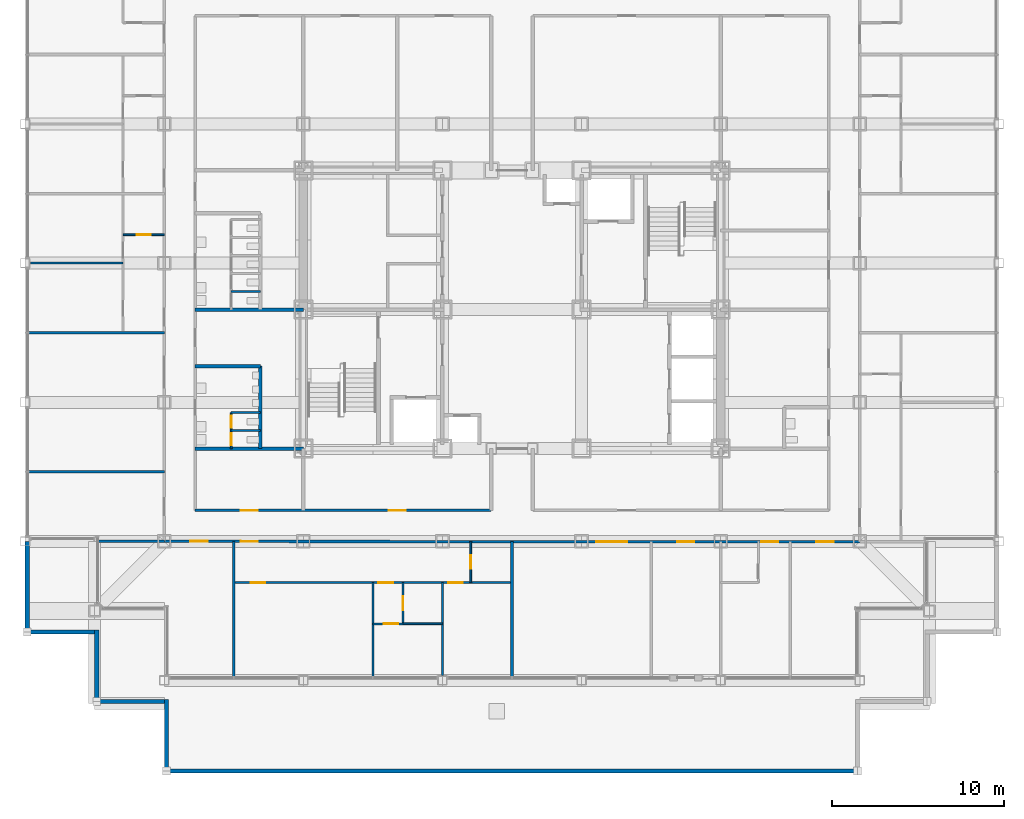
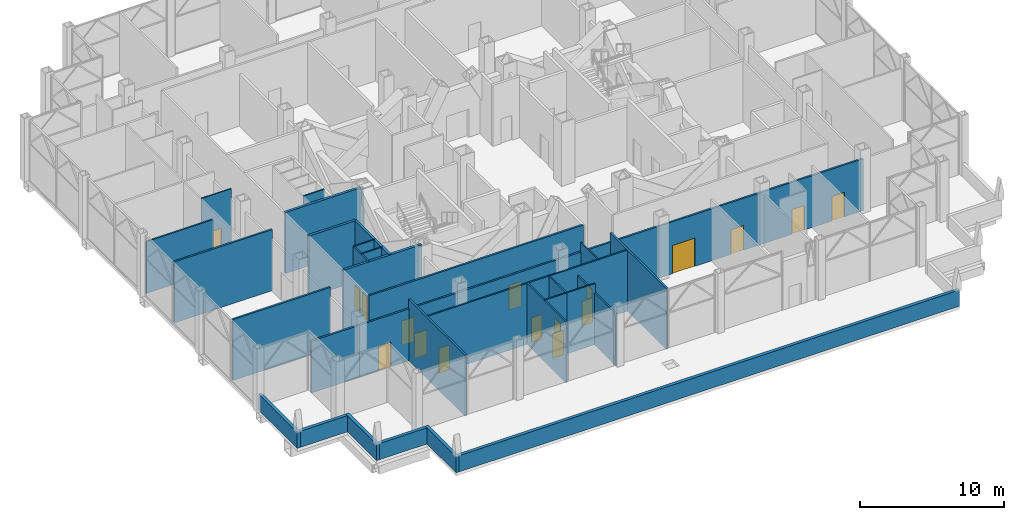
# One storey, part 21 of 29: 30 walls, 17 doors, 17 openings.
"""IFC4 building model written with IfcOpenShell, lengths in metres."""

from ifc_helpers import new_model, si_unit, direction, frame, frame_2d, origin, place, context, subcontext, project, spatial, rectangle, extrude, material, layer, layer_set, type_object, element, fill, save


model = new_model("IFC4")

# Units and contexts
model_context = context("Model", 3, precision=1e-05, world=origin(), true_north=direction((0.0, 1.0)))
body_context = subcontext(model_context, "Body", "Model", "MODEL_VIEW")
ifc_project = project(units=[si_unit("LENGTHUNIT", "METRE"), si_unit("AREAUNIT", "SQUARE_METRE"), si_unit("VOLUMEUNIT", "CUBIC_METRE"), si_unit("PLANEANGLEUNIT", "RADIAN"), si_unit("MASSUNIT", "GRAM", prefix="KILO")], contexts=[model_context])

# Site, building, storey
site_placement = place(None, origin())
site = spatial("IfcSite", under=ifc_project, at=site_placement, CompositionType="ELEMENT")
building_placement = place(site_placement, origin())
building = spatial("IfcBuilding", under=site, at=building_placement, Name="Kopane Lantern Tower", CompositionType="ELEMENT")
storey_placement = place(building_placement, frame((0.0, 0.0, 165.0)))
storey = spatial("IfcBuildingStorey", under=building, at=storey_placement, Name="L42", CompositionType="ELEMENT", Elevation=165.0)

# Wall, openings, doors
ifc_material_1 = material(Name="Gypsum board on steel studs", Category="steel")
ifc_layer_1 = layer(ifc_material_1, 0.1201171875)
ifc_layer_set_1 = layer_set([ifc_layer_1], Name="APARTMENT INTERNAL WALL 120")
wall_type_1 = type_object("IfcWallType", Name="APARTMENT INTERNAL WALL 120", PredefinedType="PARTITIONING", material=ifc_layer_set_1)
wall_1_placement = place(storey_placement, frame((12.14990234375, 16.5, 0.0), z_axis=(0.0, 0.0, 1.0), x_axis=(1.0, 0.0, 0.0)))
wall_1 = element("IfcWall", 1, at=wall_1_placement, inside=storey, type_object=wall_type_1, Name="Apartment Internal Wall 120 L42", PredefinedType="PARTITIONING", context=body_context, shape_type="SweptSolid", body=[
    extrude(rectangle(XDim=16.2001953125, YDim=0.1201171875, at=frame_2d((8.10009765625, 0.0))), origin(), (0.0, 0.0, 1.0), 5.18994140625),
])
opening_1_placement = place(wall_1_placement, frame((0.97509765625, 0.0, 0.0)))
opening_1 = element("IfcOpeningElement", 2, at=opening_1_placement, cuts=wall_1, Name="Opening L42-020", PredefinedType="OPENING", context=body_context, shape_type="SweptSolid", body=[
    extrude(rectangle(XDim=0.85009765625, YDim=2.10009765625, at=frame_2d((0.425048828125, 1.050048828125))), frame((0.0, 0.070068359375, 0.0), z_axis=(0.0, -1.0, 0.0), x_axis=(1.0, 0.0, 0.0)), (0.0, 0.0, 1.0), 0.14013671875),
])
opening_2_placement = place(wall_1_placement, frame((8.425048828125, 0.0, 0.0)))
opening_2 = element("IfcOpeningElement", 3, at=opening_2_placement, cuts=wall_1, Name="Opening L42-022", PredefinedType="OPENING", context=body_context, shape_type="SweptSolid", body=[
    extrude(rectangle(XDim=0.85009765625, YDim=2.10009765625, at=frame_2d((0.425048828125, 1.050048828125))), frame((0.0, 0.070068359375, 0.0), z_axis=(0.0, -1.0, 0.0), x_axis=(1.0, 0.0, 0.0)), (0.0, 0.0, 1.0), 0.14013671875),
])
opening_3_placement = place(wall_1_placement, frame((12.47509765625, 0.0, 0.0)))
opening_3 = element("IfcOpeningElement", 4, at=opening_3_placement, cuts=wall_1, Name="Opening L42-023", PredefinedType="OPENING", context=body_context, shape_type="SweptSolid", body=[
    extrude(rectangle(XDim=0.85009765625, YDim=2.10009765625, at=frame_2d((0.425048828125, 1.050048828125))), frame((0.0, 0.070068359375, 0.0), z_axis=(0.0, -1.0, 0.0), x_axis=(1.0, 0.0, 0.0)), (0.0, 0.0, 1.0), 0.14013671875),
])
ifc_material_2 = material(Name="Timber door set", Category="wood")
door_type_1 = type_object("IfcDoorType", Name="DOOR D4 850x2100", OperationType="SINGLE_SWING_LEFT", PredefinedType="DOOR", material=ifc_material_2)
door_1_placement = place(opening_1_placement, origin())
door_1 = element("IfcDoor", 5, at=door_1_placement, inside=storey, type_object=door_type_1, Name="Door L42-020", OperationType="SINGLE_SWING_LEFT", OverallHeight=2.10009765625, OverallWidth=0.85009765625, PredefinedType="DOOR", context=body_context, shape_type="SweptSolid", body=[
    extrude(rectangle(XDim=0.85009765625, YDim=2.10009765625, at=frame_2d((0.425048828125, 1.050048828125))), frame((0.0, 0.02490234375, 0.0), z_axis=(0.0, -1.0, 0.0), x_axis=(1.0, 0.0, 0.0)), (0.0, 0.0, 1.0), 0.050048828125),
])
fill(opening_1, door_1)
door_2_placement = place(opening_2_placement, origin())
door_2 = element("IfcDoor", 6, at=door_2_placement, inside=storey, type_object=door_type_1, Name="Door L42-022", OperationType="SINGLE_SWING_RIGHT", OverallHeight=2.10009765625, OverallWidth=0.85009765625, PredefinedType="DOOR", context=body_context, shape_type="SweptSolid", body=[
    extrude(rectangle(XDim=0.85009765625, YDim=2.10009765625, at=frame_2d((0.425048828125, 1.050048828125))), frame((0.0, 0.02490234375, 0.0), z_axis=(0.0, -1.0, 0.0), x_axis=(1.0, 0.0, 0.0)), (0.0, 0.0, 1.0), 0.050048828125),
])
fill(opening_2, door_2)
door_3_placement = place(opening_3_placement, origin())
door_3 = element("IfcDoor", 7, at=door_3_placement, inside=storey, type_object=door_type_1, Name="Door L42-023", OperationType="SINGLE_SWING_RIGHT", OverallHeight=2.10009765625, OverallWidth=0.85009765625, PredefinedType="DOOR", context=body_context, shape_type="SweptSolid", body=[
    extrude(rectangle(XDim=0.85009765625, YDim=2.10009765625, at=frame_2d((0.425048828125, 1.050048828125))), frame((0.0, 0.02490234375, 0.0), z_axis=(0.0, -1.0, 0.0), x_axis=(1.0, 0.0, 0.0)), (0.0, 0.0, 1.0), 0.050048828125),
])
fill(opening_3, door_3)

# Walls
wall_2_placement = place(storey_placement, frame((20.25, 16.5, 0.0), z_axis=(0.0, 0.0, 1.0), x_axis=(0.0, -1.0, 0.0)))
element("IfcWall", 8, at=wall_2_placement, inside=storey, type_object=wall_type_1, Name="Apartment Internal Wall 120 L42", PredefinedType="PARTITIONING", context=body_context, shape_type="SweptSolid", body=[
    extrude(rectangle(XDim=5.464599609375, YDim=0.1201171875, at=frame_2d((2.732421875, 0.0))), origin(), (0.0, 0.0, 1.0), 5.18994140625),
])
for number, where, z_axis, x_axis, name in (
    (9, (24.300048828125, 16.5, 0.0), (0.0, 0.0, 1.0), (0.0, -1.0, 0.0), "Apartment Internal Wall 120 L42"),
    (10, (5.699951171875, 35.10009765625, 0.0), (0.0, 0.0, 1.0), (-1.0, 0.0, 0.0), "Apartment Internal Wall 120 L42"),
):
    element("IfcWall", number, at=place(storey_placement, frame(where, z_axis=z_axis, x_axis=x_axis)), inside=storey, type_object=wall_type_1, Name=name, PredefinedType="PARTITIONING", context=body_context, shape_type="SweptSolid", body=[
        extrude(rectangle(XDim=5.39990234375, YDim=0.1201171875, at=frame_2d((2.699951171875, 0.0))), origin(), (0.0, 0.0, 1.0), 4.420166015625),
    ])

# Wall, opening, door
wall_3_placement = place(storey_placement, frame((22.010009765625, 14.10009765625, 0.0), z_axis=(0.0, 0.0, 1.0), x_axis=(-1.0, 0.0, 0.0)))
wall_3 = element("IfcWall", 11, at=wall_3_placement, inside=storey, type_object=wall_type_1, Name="Apartment Internal Wall 120 L42", PredefinedType="PARTITIONING", context=body_context, shape_type="SweptSolid", body=[
    extrude(rectangle(XDim=1.760009765625, YDim=0.1201171875, at=frame_2d((0.8798828125, 0.0))), origin(), (0.0, 0.0, 1.0), 5.18994140625),
])
opening_4_placement = place(wall_3_placement, frame((0.27490234375, 0.0, 0.0)))
opening_4 = element("IfcOpeningElement", 12, at=opening_4_placement, cuts=wall_3, Name="Opening L42-065", PredefinedType="OPENING", context=body_context, shape_type="SweptSolid", body=[
    extrude(rectangle(XDim=0.85009765625, YDim=2.10009765625, at=frame_2d((0.425048828125, 1.050048828125))), frame((0.0, 0.070068359375, 0.0), z_axis=(0.0, -1.0, 0.0), x_axis=(1.0, 0.0, 0.0)), (0.0, 0.0, 1.0), 0.14013671875),
])
door_4_placement = place(opening_4_placement, origin())
door_4 = element("IfcDoor", 13, at=door_4_placement, inside=storey, type_object=door_type_1, Name="Door L42-065", OperationType="SINGLE_SWING_RIGHT", OverallHeight=2.10009765625, OverallWidth=0.85009765625, PredefinedType="DOOR", context=body_context, shape_type="SweptSolid", body=[
    extrude(rectangle(XDim=0.85009765625, YDim=2.10009765625, at=frame_2d((0.425048828125, 1.050048828125))), frame((0.0, 0.02490234375, 0.0), z_axis=(0.0, -1.0, 0.0), x_axis=(1.0, 0.0, 0.0)), (0.0, 0.0, 1.0), 0.050048828125),
])
fill(opening_4, door_4)

ifc_material_3 = material(Name="Moisture-resistant board on steel studs", Category="steel")
ifc_layer_2 = layer(ifc_material_3, 0.10009765625)
ifc_layer_set_2 = layer_set([ifc_layer_2], Name="BATHROOM WALL 100")
wall_type_2 = type_object("IfcWallType", Name="BATHROOM WALL 100", PredefinedType="PARTITIONING", material=ifc_layer_set_2)
wall_4_placement = place(storey_placement, frame((25.949951171875, 18.89990234375, 0.0), z_axis=(0.0, 0.0, 1.0), x_axis=(0.0, -1.0, 0.0)))
wall_4 = element("IfcWall", 14, at=wall_4_placement, inside=storey, type_object=wall_type_2, Name="Bathroom Wall 100 L42", PredefinedType="PARTITIONING", context=body_context, shape_type="SweptSolid", body=[
    extrude(rectangle(XDim=2.39990234375, YDim=0.10009765625, at=frame_2d((1.199951171875, 0.0))), origin(), (0.0, 0.0, 1.0), 5.18994140625),
])
opening_5_placement = place(wall_4_placement, frame((0.800048828125, 0.0, 0.0)))
opening_5 = element("IfcOpeningElement", 15, at=opening_5_placement, cuts=wall_4, Name="Opening L42-018", PredefinedType="OPENING", context=body_context, shape_type="SweptSolid", body=[
    extrude(rectangle(XDim=0.800048828125, YDim=2.10009765625, at=frame_2d((0.39990234375, 1.050048828125))), frame((0.0, 0.06005859375, 0.0), z_axis=(0.0, -1.0, 0.0), x_axis=(1.0, 0.0, 0.0)), (0.0, 0.0, 1.0), 0.1201171875),
])
ifc_material_4 = material(Name="Timber door set", Category="wood")
door_type_2 = type_object("IfcDoorType", Name="DOOR D2 800x2100", OperationType="SINGLE_SWING_LEFT", PredefinedType="DOOR", material=ifc_material_4)
door_5_placement = place(opening_5_placement, origin())
door_5 = element("IfcDoor", 16, at=door_5_placement, inside=storey, type_object=door_type_2, Name="Door L42-018", OperationType="SINGLE_SWING_LEFT", OverallHeight=2.10009765625, OverallWidth=0.800048828125, PredefinedType="DOOR", context=body_context, shape_type="SweptSolid", body=[
    extrude(rectangle(XDim=0.800048828125, YDim=2.10009765625, at=frame_2d((0.39990234375, 1.050048828125))), frame((0.0, 0.02490234375, 0.0), z_axis=(0.0, -1.0, 0.0), x_axis=(1.0, 0.0, 0.0)), (0.0, 0.0, 1.0), 0.050048828125),
])
fill(opening_5, door_5)

wall_5_placement = place(storey_placement, frame((22.0, 16.5, 0.0), z_axis=(0.0, 0.0, 1.0), x_axis=(0.0, -1.0, 0.0)))
wall_5 = element("IfcWall", 17, at=wall_5_placement, inside=storey, type_object=wall_type_2, Name="Bathroom Wall 100 L42", PredefinedType="PARTITIONING", context=body_context, shape_type="SweptSolid", body=[
    extrude(rectangle(XDim=2.39990234375, YDim=0.10009765625, at=frame_2d((1.199951171875, 0.0))), origin(), (0.0, 0.0, 1.0), 5.18994140625),
])
opening_6_placement = place(wall_5_placement, frame((0.800048828125, 0.0, 0.0)))
opening_6 = element("IfcOpeningElement", 18, at=opening_6_placement, cuts=wall_5, Name="Opening L42-021", PredefinedType="OPENING", context=body_context, shape_type="SweptSolid", body=[
    extrude(rectangle(XDim=0.800048828125, YDim=2.10009765625, at=frame_2d((0.39990234375, 1.050048828125))), frame((0.0, 0.06005859375, 0.0), z_axis=(0.0, -1.0, 0.0), x_axis=(1.0, 0.0, 0.0)), (0.0, 0.0, 1.0), 0.1201171875),
])
door_6_placement = place(opening_6_placement, origin())
door_6 = element("IfcDoor", 19, at=door_6_placement, inside=storey, type_object=door_type_2, Name="Door L42-021", OperationType="SINGLE_SWING_LEFT", OverallHeight=2.10009765625, OverallWidth=0.800048828125, PredefinedType="DOOR", context=body_context, shape_type="SweptSolid", body=[
    extrude(rectangle(XDim=0.800048828125, YDim=2.10009765625, at=frame_2d((0.39990234375, 1.050048828125))), frame((0.0, 0.02490234375, 0.0), z_axis=(0.0, -1.0, 0.0), x_axis=(1.0, 0.0, 0.0)), (0.0, 0.0, 1.0), 0.050048828125),
])
fill(opening_6, door_6)

# Wall
wall_6_placement = place(storey_placement, frame((22.0, 14.10009765625, 0.0), z_axis=(0.0, 0.0, 1.0), x_axis=(1.0, 0.0, 0.0)))
element("IfcWall", 20, at=wall_6_placement, inside=storey, type_object=wall_type_2, Name="Bathroom Wall 100 L42", PredefinedType="PARTITIONING", context=body_context, shape_type="SweptSolid", body=[
    extrude(rectangle(XDim=2.300048828125, YDim=0.10009765625, at=frame_2d((1.14990234375, 0.0))), origin(), (0.0, 0.0, 1.0), 5.18994140625),
])

# Wall, opening, door
wall_7_placement = place(storey_placement, frame((8.10009765625, 36.75, 0.0), z_axis=(0.0, 0.0, 1.0), x_axis=(-1.0, 0.0, 0.0)))
wall_7 = element("IfcWall", 21, at=wall_7_placement, inside=storey, type_object=wall_type_2, Name="Bathroom Wall 100 L42", PredefinedType="PARTITIONING", context=body_context, shape_type="SweptSolid", body=[
    extrude(rectangle(XDim=2.400146484375, YDim=0.10009765625, at=frame_2d((1.2001953125, 0.0))), origin(), (0.0, 0.0, 1.0), 5.18994140625),
])
opening_7_placement = place(wall_7_placement, frame((0.800048828125, 0.0, 0.0)))
opening_7 = element("IfcOpeningElement", 22, at=opening_7_placement, cuts=wall_7, Name="Opening L42-040", PredefinedType="OPENING", context=body_context, shape_type="SweptSolid", body=[
    extrude(rectangle(XDim=0.800048828125, YDim=2.10009765625, at=frame_2d((0.39990234375, 1.050048828125))), frame((0.0, 0.06005859375, 0.0), z_axis=(0.0, -1.0, 0.0), x_axis=(1.0, 0.0, 0.0)), (0.0, 0.0, 1.0), 0.1201171875),
])
door_7_placement = place(opening_7_placement, origin())
door_7 = element("IfcDoor", 23, at=door_7_placement, inside=storey, type_object=door_type_2, Name="Door L42-040", OperationType="SINGLE_SWING_RIGHT", OverallHeight=2.10009765625, OverallWidth=0.800048828125, PredefinedType="DOOR", context=body_context, shape_type="SweptSolid", body=[
    extrude(rectangle(XDim=0.800048828125, YDim=2.10009765625, at=frame_2d((0.39990234375, 1.050048828125))), frame((0.0, 0.02490234375, 0.0), z_axis=(0.0, -1.0, 0.0), x_axis=(1.0, 0.0, 0.0)), (0.0, 0.0, 1.0), 0.050048828125),
])
fill(opening_7, door_7)

# Wall, openings, doors
wall_8_placement = place(storey_placement, frame((12.0, 24.300048828125, 0.0), z_axis=(0.0, 0.0, 1.0), x_axis=(0.0, 1.0, 0.0)))
wall_8 = element("IfcWall", 24, at=wall_8_placement, inside=storey, type_object=wall_type_2, Name="Bathroom Wall 100 L42", PredefinedType="PARTITIONING", context=body_context, shape_type="SweptSolid", body=[
    extrude(rectangle(XDim=2.099853515625, YDim=0.10009765625, at=frame_2d((1.0498046875, 0.0))), origin(), (0.0, 0.0, 1.0), 5.18994140625),
])
opening_8_placement = place(wall_8_placement, frame((0.199951171875, 0.0, 0.0)))
opening_8 = element("IfcOpeningElement", 25, at=opening_8_placement, cuts=wall_8, Name="Opening L42-066", PredefinedType="OPENING", context=body_context, shape_type="SweptSolid", body=[
    extrude(rectangle(XDim=0.699951171875, YDim=2.0, at=frame_2d((0.35009765625, 1.0))), frame((0.0, 0.06005859375, 0.0), z_axis=(0.0, -1.0, 0.0), x_axis=(1.0, 0.0, 0.0)), (0.0, 0.0, 1.0), 0.1201171875),
])
opening_9_placement = place(wall_8_placement, frame((1.22509765625, 0.0, 0.0)))
opening_9 = element("IfcOpeningElement", 26, at=opening_9_placement, cuts=wall_8, Name="Opening L42-067", PredefinedType="OPENING", context=body_context, shape_type="SweptSolid", body=[
    extrude(rectangle(XDim=0.699951171875, YDim=2.0, at=frame_2d((0.35009765625, 1.0))), frame((0.0, 0.06005859375, 0.0), z_axis=(0.0, -1.0, 0.0), x_axis=(1.0, 0.0, 0.0)), (0.0, 0.0, 1.0), 0.1201171875),
])
ifc_material_5 = material(Name="Timber door set", Category="wood")
door_type_3 = type_object("IfcDoorType", Name="DOOR D13 700x2000 WC CUBICLE", OperationType="SINGLE_SWING_LEFT", PredefinedType="DOOR", material=ifc_material_5)
door_8_placement = place(opening_8_placement, origin())
door_8 = element("IfcDoor", 27, at=door_8_placement, inside=storey, type_object=door_type_3, Name="Door L42-066", OperationType="SINGLE_SWING_LEFT", OverallHeight=2.0, OverallWidth=0.699951171875, PredefinedType="DOOR", context=body_context, shape_type="SweptSolid", body=[
    extrude(rectangle(XDim=0.699951171875, YDim=2.0, at=frame_2d((0.35009765625, 1.0))), frame((0.0, 0.02490234375, 0.0), z_axis=(0.0, -1.0, 0.0), x_axis=(1.0, 0.0, 0.0)), (0.0, 0.0, 1.0), 0.050048828125),
])
fill(opening_8, door_8)
door_9_placement = place(opening_9_placement, origin())
door_9 = element("IfcDoor", 28, at=door_9_placement, inside=storey, type_object=door_type_3, Name="Door L42-067", OperationType="SINGLE_SWING_RIGHT", OverallHeight=2.0, OverallWidth=0.699951171875, PredefinedType="DOOR", context=body_context, shape_type="SweptSolid", body=[
    extrude(rectangle(XDim=0.699951171875, YDim=2.0, at=frame_2d((0.35009765625, 1.0))), frame((0.0, 0.02490234375, 0.0), z_axis=(0.0, -1.0, 0.0), x_axis=(1.0, 0.0, 0.0)), (0.0, 0.0, 1.0), 0.050048828125),
])
fill(opening_9, door_9)

# Walls
for number, where, z_axis, x_axis, name in (
    (29, (12.0, 25.35009765625, 0.0), (0.0, 0.0, 1.0), (1.0, 0.0, 0.0), "Bathroom Wall 100 L42"),
    (30, (12.0, 26.39990234375, 0.0), (0.0, 0.0, 1.0), (1.0, 0.0, 0.0), "Bathroom Wall 100 L42"),
    (31, (12.0, 33.449951171875, 0.0), (0.0, 0.0, 1.0), (1.0, 0.0, 0.0), "Bathroom Wall 100 L42"),
):
    element("IfcWall", number, at=place(storey_placement, frame(where, z_axis=z_axis, x_axis=x_axis)), inside=storey, type_object=wall_type_2, Name=name, PredefinedType="PARTITIONING", context=body_context, shape_type="SweptSolid", body=[
        extrude(rectangle(XDim=1.699951171875, YDim=0.10009765625, at=frame_2d((0.85009765625, 0.0))), origin(), (0.0, 0.0, 1.0), 5.18994140625),
    ])

# Wall, openings, doors
ifc_material_6 = material(Name="Gypsum board on steel studs", Category="steel")
ifc_layer_3 = layer(ifc_material_6, 0.14990234375)
ifc_layer_set_3 = layer_set([ifc_layer_3], Name="CORRIDOR WALL 150 EI 60")
wall_type_3 = type_object("IfcWallType", Name="CORRIDOR WALL 150 EI 60", PredefinedType="PARTITIONING", material=ifc_layer_set_3)
wall_9_placement = place(storey_placement, frame((8.10009765625, 18.89990234375, 0.0), z_axis=(0.0, 0.0, 1.0), x_axis=(0.999999729567, -0.000735435758, 0.0)))
wall_9 = element("IfcWall", 32, at=wall_9_placement, inside=storey, type_object=wall_type_3, Name="Corridor Wall 150 Ei 60 L42", PredefinedType="PARTITIONING", context=body_context, shape_type="SweptSolid", body=[
    extrude(rectangle(XDim=40.5, YDim=0.14990234375, at=frame_2d((20.25, 0.0))), origin(), (0.0, 0.0, 1.0), 4.420166015625),
])
opening_10_placement = place(wall_9_placement, frame((4.449951171875, 0.0, 0.0)))
opening_10 = element("IfcOpeningElement", 33, at=opening_10_placement, cuts=wall_9, Name="Opening L42-019", PredefinedType="OPENING", context=body_context, shape_type="SweptSolid", body=[
    extrude(rectangle(XDim=1.0, YDim=2.10009765625, at=frame_2d((0.5, 1.050048828125))), frame((0.0, 0.0849609375, 0.0), z_axis=(0.0, -1.0, 0.0), x_axis=(1.0, 0.0, 0.0)), (0.0, 0.0, 1.0), 0.169921875),
])
opening_11_placement = place(wall_9_placement, frame((25.14990234375, 0.0, 0.0)))
opening_11 = element("IfcOpeningElement", 34, at=opening_11_placement, cuts=wall_9, Name="Opening L42-024", PredefinedType="OPENING", context=body_context, shape_type="SweptSolid", body=[
    extrude(rectangle(XDim=1.800048828125, YDim=2.39990234375, at=frame_2d((0.89990234375, 1.199951171875))), frame((0.0, 0.0849609375, 0.0), z_axis=(0.0, -1.0, 0.0), x_axis=(1.0, 0.0, 0.0)), (0.0, 0.0, 1.0), 0.169921875),
])
opening_12_placement = place(wall_9_placement, frame((29.875, 0.0, 0.0)))
opening_12 = element("IfcOpeningElement", 35, at=opening_12_placement, cuts=wall_9, Name="Opening L42-025", PredefinedType="OPENING", context=body_context, shape_type="SweptSolid", body=[
    extrude(rectangle(XDim=1.0, YDim=2.10009765625, at=frame_2d((0.5, 1.050048828125))), frame((0.0, 0.0849609375, 0.0), z_axis=(0.0, -1.0, 0.0), x_axis=(1.0, 0.0, 0.0)), (0.0, 0.0, 1.0), 0.169921875),
])
opening_13_placement = place(wall_9_placement, frame((34.75, 0.0, 0.0)))
opening_13 = element("IfcOpeningElement", 36, at=opening_13_placement, cuts=wall_9, Name="Opening L42-027", PredefinedType="OPENING", context=body_context, shape_type="SweptSolid", body=[
    extrude(rectangle(XDim=1.0, YDim=2.10009765625, at=frame_2d((0.5, 1.050048828125))), frame((0.0, 0.0849609375, 0.0), z_axis=(0.0, -1.0, 0.0), x_axis=(1.0, 0.0, 0.0)), (0.0, 0.0, 1.0), 0.169921875),
])
opening_14_placement = place(wall_9_placement, frame((1.52490234375, 0.0, 0.0)))
opening_14 = element("IfcOpeningElement", 37, at=opening_14_placement, cuts=wall_9, Name="Opening L42-061", PredefinedType="OPENING", context=body_context, shape_type="SweptSolid", body=[
    extrude(rectangle(XDim=1.0, YDim=2.10009765625, at=frame_2d((0.5, 1.050048828125))), frame((0.0, 0.0849609375, 0.0), z_axis=(0.0, -1.0, 0.0), x_axis=(1.0, 0.0, 0.0)), (0.0, 0.0, 1.0), 0.169921875),
])
opening_15_placement = place(wall_9_placement, frame((37.97509765625, 0.0, 0.0)))
opening_15 = element("IfcOpeningElement", 38, at=opening_15_placement, cuts=wall_9, Name="Opening L42-062", PredefinedType="OPENING", context=body_context, shape_type="SweptSolid", body=[
    extrude(rectangle(XDim=1.0, YDim=2.10009765625, at=frame_2d((0.5, 1.050048828125))), frame((0.0, 0.0849609375, 0.0), z_axis=(0.0, -1.0, 0.0), x_axis=(1.0, 0.0, 0.0)), (0.0, 0.0, 1.0), 0.169921875),
])
ifc_material_7 = material(Name="Steel door set", Category="steel")
door_type_4 = type_object("IfcDoorType", Name="DOOR D3 1000x2100 FD30S", OperationType="SINGLE_SWING_LEFT", PredefinedType="DOOR", material=ifc_material_7)
door_10_placement = place(opening_10_placement, origin())
door_10 = element("IfcDoor", 39, at=door_10_placement, inside=storey, type_object=door_type_4, Name="Door L42-019", OperationType="SINGLE_SWING_RIGHT", OverallHeight=2.10009765625, OverallWidth=1.0, PredefinedType="DOOR", context=body_context, shape_type="SweptSolid", body=[
    extrude(rectangle(XDim=1.0, YDim=2.10009765625, at=frame_2d((0.5, 1.050048828125))), frame((0.0, 0.02490234375, 0.0), z_axis=(0.0, -1.0, 0.0), x_axis=(1.0, 0.0, 0.0)), (0.0, 0.0, 1.0), 0.050048828125),
])
fill(opening_10, door_10)
door_11_placement = place(opening_13_placement, origin())
door_11 = element("IfcDoor", 40, at=door_11_placement, inside=storey, type_object=door_type_4, Name="Door L42-027", OperationType="SINGLE_SWING_RIGHT", OverallHeight=2.10009765625, OverallWidth=1.0, PredefinedType="DOOR", context=body_context, shape_type="SweptSolid", body=[
    extrude(rectangle(XDim=1.0, YDim=2.10009765625, at=frame_2d((0.5, 1.050048828125))), frame((0.0, 0.02490234375, 0.0), z_axis=(0.0, -1.0, 0.0), x_axis=(1.0, 0.0, 0.0)), (0.0, 0.0, 1.0), 0.050048828125),
])
fill(opening_13, door_11)
ifc_material_8 = material(Name="Steel door set", Category="steel")
door_type_5 = type_object("IfcDoorType", Name="DOOR D5 1000x2100 FD60", OperationType="SINGLE_SWING_LEFT", PredefinedType="DOOR", material=ifc_material_8)
door_12_placement = place(opening_12_placement, origin())
door_12 = element("IfcDoor", 41, at=door_12_placement, inside=storey, type_object=door_type_5, Name="Door L42-025", OperationType="SINGLE_SWING_RIGHT", OverallHeight=2.10009765625, OverallWidth=1.0, PredefinedType="DOOR", context=body_context, shape_type="SweptSolid", body=[
    extrude(rectangle(XDim=1.0, YDim=2.10009765625, at=frame_2d((0.5, 1.050048828125))), frame((0.0, 0.02490234375, 0.0), z_axis=(0.0, -1.0, 0.0), x_axis=(1.0, 0.0, 0.0)), (0.0, 0.0, 1.0), 0.050048828125),
])
fill(opening_12, door_12)
door_13_placement = place(opening_14_placement, origin())
door_13 = element("IfcDoor", 42, at=door_13_placement, inside=storey, type_object=door_type_5, Name="Door L42-061", OperationType="SINGLE_SWING_LEFT", OverallHeight=2.10009765625, OverallWidth=1.0, PredefinedType="DOOR", context=body_context, shape_type="SweptSolid", body=[
    extrude(rectangle(XDim=1.0, YDim=2.10009765625, at=frame_2d((0.5, 1.050048828125))), frame((0.0, 0.02490234375, 0.0), z_axis=(0.0, -1.0, 0.0), x_axis=(1.0, 0.0, 0.0)), (0.0, 0.0, 1.0), 0.050048828125),
])
fill(opening_14, door_13)
door_14_placement = place(opening_15_placement, origin())
door_14 = element("IfcDoor", 43, at=door_14_placement, inside=storey, type_object=door_type_5, Name="Door L42-062", OperationType="SINGLE_SWING_RIGHT", OverallHeight=2.10009765625, OverallWidth=1.0, PredefinedType="DOOR", context=body_context, shape_type="SweptSolid", body=[
    extrude(rectangle(XDim=1.0, YDim=2.10009765625, at=frame_2d((0.5, 1.050048828125))), frame((0.0, 0.02490234375, 0.0), z_axis=(0.0, -1.0, 0.0), x_axis=(1.0, 0.0, 0.0)), (0.0, 0.0, 1.0), 0.050048828125),
])
fill(opening_15, door_14)
ifc_material_9 = material(Name="Steel door set", Category="steel")
door_type_6 = type_object("IfcDoorType", Name="DOOR D6 1800x2400 FD30S", OperationType="SINGLE_SWING_LEFT", PredefinedType="DOOR", material=ifc_material_9)
door_15_placement = place(opening_11_placement, origin())
door_15 = element("IfcDoor", 44, at=door_15_placement, inside=storey, type_object=door_type_6, Name="Door L42-024", OperationType="DOUBLE_DOOR_SINGLE_SWING", OverallHeight=2.39990234375, OverallWidth=1.800048828125, PredefinedType="DOOR", context=body_context, shape_type="SweptSolid", body=[
    extrude(rectangle(XDim=1.800048828125, YDim=2.39990234375, at=frame_2d((0.89990234375, 1.199951171875))), frame((0.0, 0.02490234375, 0.0), z_axis=(0.0, -1.0, 0.0), x_axis=(1.0, 0.0, 0.0)), (0.0, 0.0, 1.0), 0.050048828125),
])
fill(opening_11, door_15)

wall_10_placement = place(storey_placement, frame((9.89990234375, 20.699951171875, 0.0), z_axis=(0.0, 0.0, 1.0), x_axis=(1.0, 0.0, 0.0)))
wall_10 = element("IfcWall", 45, at=wall_10_placement, inside=storey, type_object=wall_type_3, Name="Corridor Wall 150 Ei 60 L42", PredefinedType="PARTITIONING", context=body_context, shape_type="SweptSolid", body=[
    extrude(rectangle(XDim=17.239990234375, YDim=0.14990234375, at=frame_2d((8.6201171875, 0.0))), origin(), (0.0, 0.0, 1.0), 5.18994140625),
])
opening_16_placement = place(wall_10_placement, frame((2.64990234375, 0.0, 0.0)))
opening_16 = element("IfcOpeningElement", 46, at=opening_16_placement, cuts=wall_10, Name="Opening L42-009", PredefinedType="OPENING", context=body_context, shape_type="SweptSolid", body=[
    extrude(rectangle(XDim=1.0, YDim=2.10009765625, at=frame_2d((0.5, 1.050048828125))), frame((0.0, 0.0849609375, 0.0), z_axis=(0.0, -1.0, 0.0), x_axis=(1.0, 0.0, 0.0)), (0.0, 0.0, 1.0), 0.169921875),
])
opening_17_placement = place(wall_10_placement, frame((11.27490234375, 0.0, 0.0)))
opening_17 = element("IfcOpeningElement", 47, at=opening_17_placement, cuts=wall_10, Name="Opening L42-010", PredefinedType="OPENING", context=body_context, shape_type="SweptSolid", body=[
    extrude(rectangle(XDim=1.0, YDim=2.10009765625, at=frame_2d((0.5, 1.050048828125))), frame((0.0, 0.0849609375, 0.0), z_axis=(0.0, -1.0, 0.0), x_axis=(1.0, 0.0, 0.0)), (0.0, 0.0, 1.0), 0.169921875),
])
door_16_placement = place(opening_16_placement, origin())
door_16 = element("IfcDoor", 48, at=door_16_placement, inside=storey, type_object=door_type_5, Name="Door L42-009", OperationType="SINGLE_SWING_LEFT", OverallHeight=2.10009765625, OverallWidth=1.0, PredefinedType="DOOR", context=body_context, shape_type="SweptSolid", body=[
    extrude(rectangle(XDim=1.0, YDim=2.10009765625, at=frame_2d((0.5, 1.050048828125))), frame((0.0, 0.02490234375, 0.0), z_axis=(0.0, -1.0, 0.0), x_axis=(1.0, 0.0, 0.0)), (0.0, 0.0, 1.0), 0.050048828125),
])
fill(opening_16, door_16)
door_17_placement = place(opening_17_placement, origin())
door_17 = element("IfcDoor", 49, at=door_17_placement, inside=storey, type_object=door_type_5, Name="Door L42-010", OperationType="SINGLE_SWING_RIGHT", OverallHeight=2.10009765625, OverallWidth=1.0, PredefinedType="DOOR", context=body_context, shape_type="SweptSolid", body=[
    extrude(rectangle(XDim=1.0, YDim=2.10009765625, at=frame_2d((0.5, 1.050048828125))), frame((0.0, 0.02490234375, 0.0), z_axis=(0.0, -1.0, 0.0), x_axis=(1.0, 0.0, 0.0)), (0.0, 0.0, 1.0), 0.050048828125),
])
fill(opening_17, door_17)

# Walls
ifc_material_10 = material(Name="Gypsum board on steel studs", Category="steel")
ifc_layer_4 = layer(ifc_material_10, 0.14990234375)
ifc_layer_set_4 = layer_set([ifc_layer_4], Name="DEMISING WALL 150 EI 60")
wall_type_4 = type_object("IfcWallType", Name="DEMISING WALL 150 EI 60", PredefinedType="PARTITIONING", material=ifc_layer_set_4)
for number, where, z_axis, x_axis, name in (
    (50, (28.35009765625, 18.89990234375, 0.0), (0.0, 0.0, 1.0), (0.0, -1.0, 0.0), "Demising Wall 150 Ei 60 L42"),
    (51, (8.10009765625, 22.949951171875, 0.0), (0.0, 0.0, 1.0), (-1.0, 0.0, 0.0), "Demising Wall 150 Ei 60 L42"),
    (52, (8.10009765625, 31.050048828125, 0.0), (0.0, 0.0, 1.0), (-1.0, 0.0, 0.0), "Demising Wall 150 Ei 60 L42"),
):
    element("IfcWall", number, at=place(storey_placement, frame(where, z_axis=z_axis, x_axis=x_axis)), inside=storey, type_object=wall_type_4, Name=name, PredefinedType="PARTITIONING", context=body_context, shape_type="SweptSolid", body=[
        extrude(rectangle(XDim=7.864501953125, YDim=0.14990234375, at=frame_2d((3.93212890625, 0.0))), origin(), (0.0, 0.0, 1.0), 5.18994140625),
    ])
wall_11_placement = place(storey_placement, frame((4.217041015625, 18.89990234375, 0.0), z_axis=(0.0, 0.0, 1.0), x_axis=(1.0, 0.0, 0.0)))
element("IfcWall", 53, at=wall_11_placement, inside=storey, type_object=wall_type_4, Name="Demising Wall 150 Ei 60 L42", PredefinedType="PARTITIONING", context=body_context, shape_type="SweptSolid", body=[
    extrude(rectangle(XDim=3.883056640625, YDim=0.14990234375, at=frame_2d((1.94140625, 0.0))), origin(), (0.0, 0.0, 1.0), 4.420166015625),
])
wall_12_placement = place(storey_placement, frame((12.14990234375, 18.89990234375, 0.0), z_axis=(0.0, 0.0, 1.0), x_axis=(0.0, -1.0, 0.0)))
element("IfcWall", 54, at=wall_12_placement, inside=storey, type_object=wall_type_4, Name="Demising Wall 150 Ei 60 L42", PredefinedType="PARTITIONING", context=body_context, shape_type="SweptSolid", body=[
    extrude(rectangle(XDim=7.864501953125, YDim=0.14990234375, at=frame_2d((3.93212890625, 0.0))), origin(), (0.0, 0.0, 1.0), 5.18994140625),
])
ifc_material_11 = material(Name="Terracotta rainscreen on light steel framing", Category="masonry")
ifc_layer_5 = layer(ifc_material_11, 0.25)
ifc_layer_set_5 = layer_set([ifc_layer_5], Name="PARAPET PW1 250 TERRACOTTA")
wall_type_5 = type_object("IfcWallType", Name="PARAPET PW1 250 TERRACOTTA", PredefinedType="PARAPET", material=ifc_layer_set_5)
wall_13_placement = place(storey_placement, frame((0.125, 18.89990234375, 0.0), z_axis=(0.0, 0.0, 1.0), x_axis=(0.0, -1.0, 0.0)))
element("IfcWall", 55, at=wall_13_placement, inside=storey, type_object=wall_type_5, Name="Parapet L42", PredefinedType="PARAPET", context=body_context, shape_type="SweptSolid", body=[
    extrude(rectangle(XDim=5.39990234375, YDim=0.25, at=frame_2d((2.699951171875, 0.0))), origin(), (0.0, 0.0, 1.0), 1.3798828125),
])
wall_14_placement = place(storey_placement, frame((0.25, 13.625, 0.0), z_axis=(0.0, 0.0, 1.0), x_axis=(1.0, 0.0, 0.0)))
element("IfcWall", 56, at=wall_14_placement, inside=storey, type_object=wall_type_5, Name="Parapet L42", PredefinedType="PARAPET", context=body_context, shape_type="SweptSolid", body=[
    extrude(rectangle(XDim=3.800048828125, YDim=0.25, at=frame_2d((1.89990234375, 0.0))), origin(), (0.0, 0.0, 1.0), 1.3798828125),
])
wall_15_placement = place(storey_placement, frame((4.175048828125, 13.75, 0.0), z_axis=(0.0, 0.0, 1.0), x_axis=(0.0, -1.0, 0.0)))
element("IfcWall", 57, at=wall_15_placement, inside=storey, type_object=wall_type_5, Name="Parapet L42", PredefinedType="PARAPET", context=body_context, shape_type="SweptSolid", body=[
    extrude(rectangle(XDim=4.300048828125, YDim=0.25, at=frame_2d((2.14990234375, 0.0))), origin(), (0.0, 0.0, 1.0), 1.3798828125),
])
wall_16_placement = place(storey_placement, frame((4.300048828125, 9.574951171875, 0.0), z_axis=(0.0, 0.0, 1.0), x_axis=(1.0, 0.0, 0.0)))
element("IfcWall", 58, at=wall_16_placement, inside=storey, type_object=wall_type_5, Name="Parapet L42", PredefinedType="PARAPET", context=body_context, shape_type="SweptSolid", body=[
    extrude(rectangle(XDim=3.800048828125, YDim=0.25, at=frame_2d((1.89990234375, 0.0))), origin(), (0.0, 0.0, 1.0), 1.3798828125),
])
wall_17_placement = place(storey_placement, frame((8.22509765625, 9.699951171875, 0.0), z_axis=(0.0, 0.0, 1.0), x_axis=(0.0, -1.0, 0.0)))
element("IfcWall", 59, at=wall_17_placement, inside=storey, type_object=wall_type_5, Name="Parapet L42", PredefinedType="PARAPET", context=body_context, shape_type="SweptSolid", body=[
    extrude(rectangle(XDim=4.300048828125, YDim=0.25, at=frame_2d((2.14990234375, 0.0))), origin(), (0.0, 0.0, 1.0), 1.3798828125),
])
wall_18_placement = place(storey_placement, frame((8.35009765625, 5.52490234375, 0.0), z_axis=(0.0, 0.0, 1.0), x_axis=(1.0, 0.0, 0.0)))
element("IfcWall", 60, at=wall_18_placement, inside=storey, type_object=wall_type_5, Name="Parapet L42", PredefinedType="PARAPET", context=body_context, shape_type="SweptSolid", body=[
    extrude(rectangle(XDim=40.25, YDim=0.25, at=frame_2d((20.125, 0.0))), origin(), (0.0, 0.0, 1.0), 1.3798828125),
])
ifc_material_12 = material(Name="Concrete masonry", Category="masonry")
ifc_layer_6 = layer(ifc_material_12, 0.199951171875)
ifc_layer_set_6 = layer_set([ifc_layer_6], Name="PLANT ROOM WALL 200 EI 120")
wall_type_6 = type_object("IfcWallType", Name="PLANT ROOM WALL 200 EI 120", PredefinedType="SOLIDWALL", material=ifc_layer_set_6)
wall_19_placement = place(storey_placement, frame((9.89990234375, 32.39990234375, 0.0), z_axis=(0.0, 0.0, 1.0), x_axis=(1.0, 0.0, 0.0)))
element("IfcWall", 61, at=wall_19_placement, inside=storey, type_object=wall_type_6, Name="Plant Room Wall 200 Ei 120 L42", PredefinedType="SOLIDWALL", context=body_context, shape_type="SweptSolid", body=[
    extrude(rectangle(XDim=6.300048828125, YDim=0.199951171875, at=frame_2d((3.14990234375, 0.0))), origin(), (0.0, 0.0, 1.0), 5.18994140625),
])
wall_20_placement = place(storey_placement, frame((9.89990234375, 29.10009765625, 0.0), z_axis=(0.0, 0.0, 1.0), x_axis=(1.0, 0.0, 0.0)))
element("IfcWall", 62, at=wall_20_placement, inside=storey, type_object=wall_type_6, Name="Plant Room Wall 200 Ei 120 L42", PredefinedType="SOLIDWALL", context=body_context, shape_type="SweptSolid", body=[
    extrude(rectangle(XDim=3.800048828125, YDim=0.199951171875, at=frame_2d((1.89990234375, 0.0))), origin(), (0.0, 0.0, 1.0), 5.18994140625),
])
wall_21_placement = place(storey_placement, frame((13.699951171875, 24.300048828125, 0.0), z_axis=(0.0, 0.0, 1.0), x_axis=(0.0, 1.0, 0.0)))
element("IfcWall", 63, at=wall_21_placement, inside=storey, type_object=wall_type_6, Name="Plant Room Wall 200 Ei 120 L42", PredefinedType="SOLIDWALL", context=body_context, shape_type="SweptSolid", body=[
    extrude(rectangle(XDim=4.800048828125, YDim=0.199951171875, at=frame_2d((2.39990234375, 0.0))), origin(), (0.0, 0.0, 1.0), 5.18994140625),
])
wall_22_placement = place(storey_placement, frame((9.89990234375, 24.300048828125, 0.0), z_axis=(0.0, 0.0, 1.0), x_axis=(1.0, 0.0, 0.0)))
element("IfcWall", 64, at=wall_22_placement, inside=storey, type_object=wall_type_6, Name="Plant Room Wall 200 Ei 120 L42", PredefinedType="SOLIDWALL", context=body_context, shape_type="SweptSolid", body=[
    extrude(rectangle(XDim=6.300048828125, YDim=0.199951171875, at=frame_2d((3.14990234375, 0.0))), origin(), (0.0, 0.0, 1.0), 5.18994140625),
])

save(model, "model.ifc")
